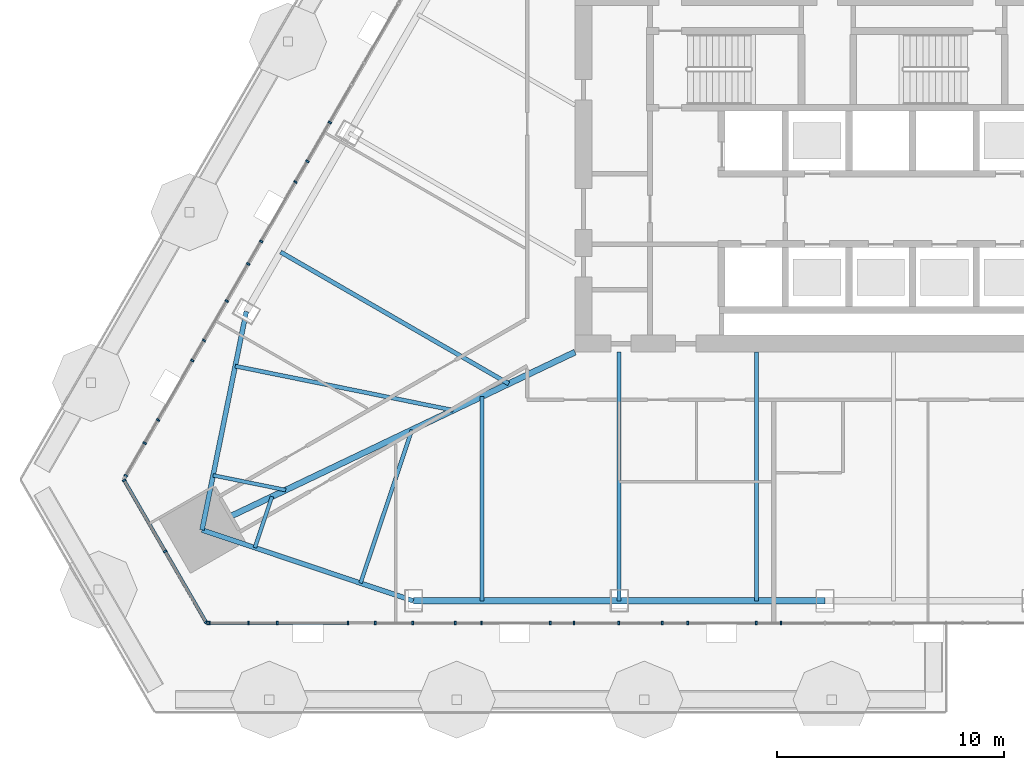
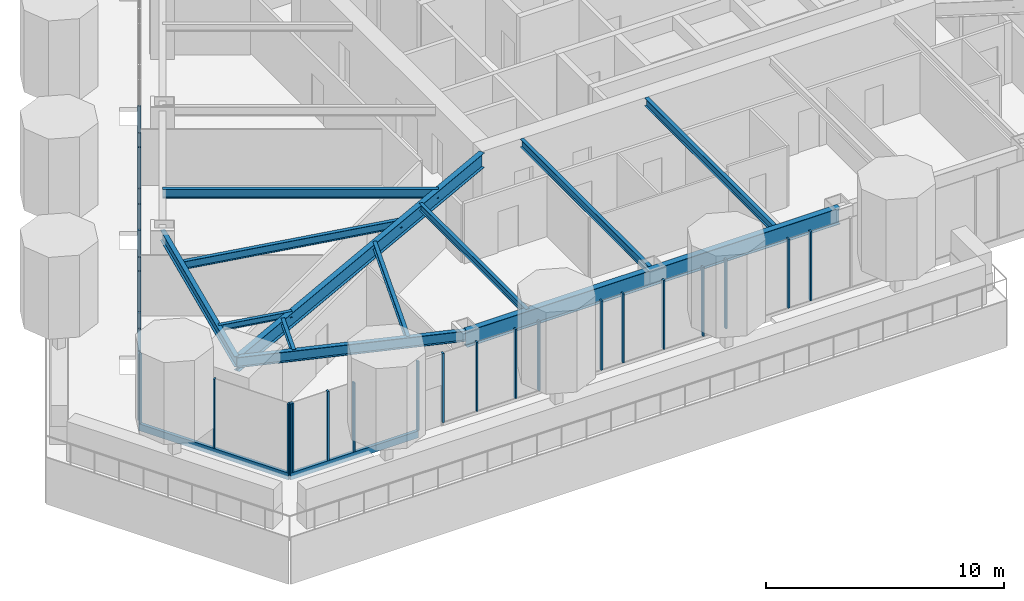
# One storey, part 2 of 32: 32 members, 12 beams, 3 elements without a shape of their own.
"""IFC4 building model written with IfcOpenShell, lengths in metres."""

import ifcopenshell
import ifcopenshell.guid

model = None  # the IFC model being written
_history = None  # IfcOwnerHistory: only IFC2X3 demands one
_inside = {}  # id of a spatial element -> (the spatial element, [elements in it])
_under = {}  # id of a project, library or spatial element -> (it, [spatial elements below it])
_declared = {}  # id of a project -> (the project, [libraries it declares])
_typed = {}  # id of a type object -> (the type object, [elements of that type])
_made_of = {}  # id of a material, layer set ... -> (it, [elements and type objects made of it])


def new_model(schema):
    """Start an empty IFC model of exactly this schema.

    Asked for "IFC4X3", IfcOpenShell would pick the latest addendum, in which some entities
    have other attributes; the version numbers below select the first issue.
    IFC2X3 requires an IfcOwnerHistory on every rooted entity: one is made here for all.
    """
    global model, _history
    if schema == "IFC4X3":
        model = ifcopenshell.file(schema_version=(4, 3, 0, 0))
    else:
        model = ifcopenshell.file(schema=schema)
    _inside.clear()
    _under.clear()
    _declared.clear()
    _typed.clear()
    _made_of.clear()
    _history = None
    if model.schema == "IFC2X3":
        org = make("IfcOrganization", Name="unknown")
        user = make(
            "IfcPersonAndOrganization",
            ThePerson=make("IfcPerson", FamilyName="unknown"),
            TheOrganization=org,
        )
        app = make(
            "IfcApplication",
            ApplicationDeveloper=org,
            Version="unknown",
            ApplicationFullName="unknown",
            ApplicationIdentifier="unknown",
        )
        _history = make(
            "IfcOwnerHistory",
            OwningUser=user,
            OwningApplication=app,
            ChangeAction="ADDED",
            CreationDate=0,
        )
    return model


def make(cls, **values):
    """One entity of the class cls with the attributes given. An attribute that is None is left unset."""
    return model.create_entity(
        cls, **{name: value for name, value in values.items() if value is not None}
    )


def rooted(cls, **values):
    """An entity with a GlobalId (a new one), such as an element, a storey or a relation."""
    return make(cls, GlobalId=ifcopenshell.guid.new(), OwnerHistory=_history, **values)


def si_unit(unit_type, name, prefix=None):
    """IfcSIUnit, for example si_unit("LENGTHUNIT", "METRE", prefix="MILLI")."""
    return make("IfcSIUnit", UnitType=unit_type, Prefix=prefix, Name=name)


def assignment(units):
    """IfcUnitAssignment: the units of a project."""
    return None if units is None else make("IfcUnitAssignment", Units=units)


def point(xyz):
    """IfcCartesianPoint."""
    return None if xyz is None else make("IfcCartesianPoint", Coordinates=xyz)


def direction(xyz):
    """IfcDirection."""
    return None if xyz is None else make("IfcDirection", DirectionRatios=xyz)


def frame(location, z_axis=None, x_axis=None):
    """IfcAxis2Placement3D, a coordinate frame: its origin and axes. An axis left out is left unset."""
    return make(
        "IfcAxis2Placement3D",
        Location=point(location),
        Axis=direction(z_axis),
        RefDirection=direction(x_axis),
    )


def frame_2d(location, x_axis=None):
    """IfcAxis2Placement2D, a coordinate frame in the plane: its origin and x axis."""
    return make(
        "IfcAxis2Placement2D", Location=point(location), RefDirection=direction(x_axis)
    )


def origin():
    """The frame at (0, 0, 0) with its axes left unset."""
    return frame((0.0, 0.0, 0.0))


def origin_2d():
    """The frame at (0, 0) in the plane with its x axis left unset."""
    return frame_2d((0.0, 0.0))


def place(relative_to, where):
    """IfcLocalPlacement: puts the frame where relative to a parent placement (None: the world)."""
    return make(
        "IfcLocalPlacement", PlacementRelTo=relative_to, RelativePlacement=where
    )


def context(
    kind, dimensions, precision=None, world=None, true_north=None, identifier=None
):
    """IfcGeometricRepresentationContext, for example the 3D "Model" context."""
    return make(
        "IfcGeometricRepresentationContext",
        ContextIdentifier=identifier,
        ContextType=kind,
        CoordinateSpaceDimension=dimensions,
        Precision=precision,
        WorldCoordinateSystem=world,
        TrueNorth=true_north,
    )


def subcontext(parent, identifier, kind, view, scale=None):
    """IfcGeometricRepresentationSubContext, for example "Body" below "Model"."""
    return make(
        "IfcGeometricRepresentationSubContext",
        ContextIdentifier=identifier,
        ContextType=kind,
        ParentContext=parent,
        TargetScale=scale,
        TargetView=view,
    )


def project(units=None, contexts=None):
    """IfcProject with its units and contexts."""
    return rooted(
        "IfcProject",
        Name="project",
        RepresentationContexts=contexts,
        UnitsInContext=assignment(units),
    )


def spatial(cls, under=None, at=None, **own):
    """A site, building, storey or space (cls), placed at a placement, below another one or the project."""
    s = rooted(cls, ObjectPlacement=at, **own)
    if under is not None:
        _under.setdefault(under.id(), (under, []))[1].append(s)
    return s


def profile(cls, at=None, kind="AREA", **sizes):
    """A parametric profile (cls). Its sizes go by their IFC names, for example OverallWidth=200.0."""
    return make(cls, ProfileType=kind, Position=at, **sizes)


def rectangle(**sizes):
    """IfcRectangleProfileDef."""
    return profile("IfcRectangleProfileDef", **sizes)


def i_section(**sizes):
    """IfcIShapeProfileDef."""
    return profile("IfcIShapeProfileDef", **sizes)


def extrude(swept, where, along, depth):
    """IfcExtrudedAreaSolid: the profile swept, set in the frame where, extruded along a direction by depth."""
    return make(
        "IfcExtrudedAreaSolid",
        SweptArea=swept,
        Position=where,
        ExtrudedDirection=direction(along),
        Depth=depth,
    )


def shape(context_of_items, identifier, shape_type, items):
    """IfcShapeRepresentation: the items that make up one representation, for example the "Body"."""
    return make(
        "IfcShapeRepresentation",
        ContextOfItems=context_of_items,
        RepresentationIdentifier=identifier,
        RepresentationType=shape_type,
        Items=items,
    )


def material(Name=None, Category=None):
    """IfcMaterial."""
    return make("IfcMaterial", Name=Name, Category=Category)


def layer(
    of_material, thickness, ventilated=None, Name=None, Category=None, Priority=None
):
    """IfcMaterialLayer: one layer of a wall or slab, of a material (None: an air gap)."""
    return make(
        "IfcMaterialLayer",
        Material=of_material,
        LayerThickness=thickness,
        IsVentilated=ventilated,
        Name=Name,
        Category=Category,
        Priority=Priority,
    )


def layer_set(layers, Name=None):
    """IfcMaterialLayerSet."""
    return make("IfcMaterialLayerSet", MaterialLayers=layers, LayerSetName=Name)


def material_profile(
    of_material, cross_section, Name=None, Category=None, Priority=None
):
    """IfcMaterialProfile: a cross section and its material."""
    return make(
        "IfcMaterialProfile",
        Name=Name,
        Material=of_material,
        Profile=cross_section,
        Priority=Priority,
        Category=Category,
    )


def profile_set(profiles, Name=None, composite=None):
    """IfcMaterialProfileSet."""
    return make(
        "IfcMaterialProfileSet",
        Name=Name,
        MaterialProfiles=profiles,
        CompositeProfile=composite,
    )


def made_of(thing, what):
    """Note that an element or type object is made of a material, layer set ...; save() writes the relation."""
    if what is not None:
        _made_of.setdefault(what.id(), (what, []))[1].append(thing)
    return thing


def type_object(cls, material=None, **own):
    """A type object (cls), such as IfcWallType, which elements share."""
    return made_of(rooted(cls, **own), material)


def element(
    cls,
    number,
    at=None,
    inside=None,
    cuts=None,
    type_object=None,
    material=None,
    context=None,
    identifier="Body",
    shape_type=None,
    held_by="IfcProductDefinitionShape",
    body=None,
    shapes=None,
    **own,
):
    """One element of the class cls, such as IfcWall. Its Tag is "e" and its number.

    at: its placement. inside: the storey or other place that contains it. cuts: it is an
    opening in that element (IfcRelVoidsElement). A single representation is given by context,
    identifier, shape_type and body (its items); several are given by shapes. held_by: the class
    of the entity that holds the representations. save() writes the other relations.
    """
    e = rooted(cls, Tag="e%d" % number, ObjectPlacement=at, **own)
    if body is not None:
        shapes = [shape(context, identifier, shape_type, body)]
    if shapes is not None:
        e.Representation = make(held_by, Representations=shapes)
    if inside is not None:
        _inside.setdefault(inside.id(), (inside, []))[1].append(e)
    if cuts is not None:
        rooted(
            "IfcRelVoidsElement", RelatingBuildingElement=cuts, RelatedOpeningElement=e
        )
    if type_object is not None:
        _typed.setdefault(type_object.id(), (type_object, []))[1].append(e)
    return made_of(e, material)


def aggregate(whole, parts):
    """IfcRelAggregates: a whole, such as a stair, and the parts it consists of."""
    return rooted("IfcRelAggregates", RelatingObject=whole, RelatedObjects=parts)


def save(model, path):
    """Write the relations noted so far, then the file.

    IfcRelAggregates (storeys below a building ...), IfcRelContainedInSpatialStructure (elements
    in a storey), IfcRelDefinesByType, IfcRelAssociatesMaterial and IfcRelDeclares: one each for
    every whole, place, type object, material and project.
    """
    for whole, parts in _under.values():
        aggregate(whole, parts)
    for where, things in _inside.values():
        rooted(
            "IfcRelContainedInSpatialStructure",
            RelatedElements=things,
            RelatingStructure=where,
        )
    for kind, things in _typed.values():
        rooted("IfcRelDefinesByType", RelatedObjects=things, RelatingType=kind)
    for what, things in _made_of.values():
        rooted("IfcRelAssociatesMaterial", RelatedObjects=things, RelatingMaterial=what)
    for by, libraries in _declared.values():
        rooted("IfcRelDeclares", RelatingContext=by, RelatedDefinitions=libraries)
    model.write(path)


model = new_model("IFC4")

# Units and contexts
model_context = context("Model", 3, precision=1e-05, world=origin(), true_north=direction((0.0, 1.0)))
body_context = subcontext(model_context, "Body", "Model", "MODEL_VIEW")
ifc_project = project(units=[si_unit("LENGTHUNIT", "METRE"), si_unit("AREAUNIT", "SQUARE_METRE"), si_unit("VOLUMEUNIT", "CUBIC_METRE"), si_unit("PLANEANGLEUNIT", "RADIAN"), si_unit("MASSUNIT", "GRAM", prefix="KILO")], contexts=[model_context])

# Site, building, storey
site_placement = place(None, origin())
site = spatial("IfcSite", under=ifc_project, at=site_placement, CompositionType="ELEMENT")
building_placement = place(site_placement, origin())
building = spatial("IfcBuilding", under=site, at=building_placement, Name="Firuza Gate Tower and Library", CompositionType="ELEMENT")
storey_placement = place(building_placement, frame((0.0, 0.0, 163.60009765625)))
storey = spatial("IfcBuildingStorey", under=building, at=storey_placement, Name="L37", CompositionType="ELEMENT", Elevation=163.60009765625)

# Curtain wall, members
ifc_material_1 = material(Name="Aluminium 6063-T6", Category="aluminium")
ifc_layer_1 = layer(ifc_material_1, 0.14990234375)
ifc_layer_set_1 = layer_set([ifc_layer_1], Name="Unitised curtain wall, hotel")
curtain_wall_type_1 = type_object("IfcCurtainWallType", Name="Unitised curtain wall, hotel", PredefinedType="NOTDEFINED", material=ifc_layer_set_1)
placement = place(storey_placement, origin())
curtain_wall_1 = element("IfcCurtainWall", 1, at=placement, inside=storey, type_object=curtain_wall_type_1, Name="CW2 L37 S face", PredefinedType="NOTDEFINED")
ifc_material_2 = material(Name="Aluminium 6063-T6", Category="aluminium")
ifc_material_profile_1 = material_profile(ifc_material_2, rectangle(XDim=0.14990234375, YDim=0.080078125, at=origin_2d()))
ifc_profile_set_1 = profile_set([ifc_material_profile_1], Name="Aluminium 6063-T6")
member_type_1 = type_object("IfcMemberType", Name="Curtain wall mullion 80x150", PredefinedType="MULLION", material=ifc_profile_set_1)
member_1_placement = place(storey_placement, frame((47.834716796875, 55.086181640625, 0.14990234375), z_axis=(0.0, 0.0, 1.0), x_axis=(0.0, 1.0, 0.0)))
member_1 = element("IfcMember", 2, at=member_1_placement, type_object=member_type_1, Name="Mullion", PredefinedType="MULLION", context=body_context, shape_type="SweptSolid", body=[
    extrude(rectangle(XDim=0.14990234375, YDim=0.080078125, at=origin_2d()), origin(), (0.0, 0.0, 1.0), 3.550048828125),
])
member_2_placement = place(storey_placement, frame((50.90478515625, 55.086181640625, 0.14990234375), z_axis=(0.0, 0.0, 1.0), x_axis=(0.0, 1.0, 0.0)))
member_2 = element("IfcMember", 3, at=member_2_placement, type_object=member_type_1, Name="Mullion", PredefinedType="MULLION", context=body_context, shape_type="SweptSolid", body=[
    extrude(rectangle(XDim=0.14990234375, YDim=0.080078125, at=origin_2d()), origin(), (0.0, 0.0, 1.0), 3.550048828125),
])
member_3_placement = place(storey_placement, frame((54.014892578125, 55.086181640625, 0.14990234375), z_axis=(0.0, 0.0, 1.0), x_axis=(0.0, 1.0, 0.0)))
member_3 = element("IfcMember", 4, at=member_3_placement, type_object=member_type_1, Name="Mullion", PredefinedType="MULLION", context=body_context, shape_type="SweptSolid", body=[
    extrude(rectangle(XDim=0.14990234375, YDim=0.080078125, at=origin_2d()), origin(), (0.0, 0.0, 1.0), 3.550048828125),
])
member_4_placement = place(storey_placement, frame((55.21484375, 55.086181640625, 0.14990234375), z_axis=(0.0, 0.0, 1.0), x_axis=(0.0, 1.0, 0.0)))
member_4 = element("IfcMember", 5, at=member_4_placement, type_object=member_type_1, Name="Mullion", PredefinedType="MULLION", context=body_context, shape_type="SweptSolid", body=[
    extrude(rectangle(XDim=0.14990234375, YDim=0.080078125, at=origin_2d()), origin(), (0.0, 0.0, 1.0), 3.550048828125),
])
member_5_placement = place(storey_placement, frame((56.86328125, 55.086181640625, 0.14990234375), z_axis=(0.0, 0.0, 1.0), x_axis=(0.0, 1.0, 0.0)))
member_5 = element("IfcMember", 6, at=member_5_placement, type_object=member_type_1, Name="Mullion", PredefinedType="MULLION", context=body_context, shape_type="SweptSolid", body=[
    extrude(rectangle(XDim=0.14990234375, YDim=0.080078125, at=origin_2d()), origin(), (0.0, 0.0, 1.0), 3.550048828125),
])
member_6_placement = place(storey_placement, frame((59.885986328125, 55.086181640625, 0.14990234375), z_axis=(0.0, 0.0, 1.0), x_axis=(0.0, 1.0, 0.0)))
member_6 = element("IfcMember", 7, at=member_6_placement, type_object=member_type_1, Name="Mullion", PredefinedType="MULLION", context=body_context, shape_type="SweptSolid", body=[
    extrude(rectangle(XDim=0.14990234375, YDim=0.080078125, at=origin_2d()), origin(), (0.0, 0.0, 1.0), 3.550048828125),
])
member_7_placement = place(storey_placement, frame((62.90869140625, 55.086181640625, 0.14990234375), z_axis=(0.0, 0.0, 1.0), x_axis=(0.0, 1.0, 0.0)))
member_7 = element("IfcMember", 8, at=member_7_placement, type_object=member_type_1, Name="Mullion", PredefinedType="MULLION", context=body_context, shape_type="SweptSolid", body=[
    extrude(rectangle(XDim=0.14990234375, YDim=0.080078125, at=origin_2d()), origin(), (0.0, 0.0, 1.0), 3.550048828125),
])
member_8_placement = place(storey_placement, frame((65.931640625, 55.086181640625, 0.14990234375), z_axis=(0.0, 0.0, 1.0), x_axis=(0.0, 1.0, 0.0)))
member_8 = element("IfcMember", 9, at=member_8_placement, type_object=member_type_1, Name="Mullion", PredefinedType="MULLION", context=body_context, shape_type="SweptSolid", body=[
    extrude(rectangle(XDim=0.14990234375, YDim=0.080078125, at=origin_2d()), origin(), (0.0, 0.0, 1.0), 3.550048828125),
])
member_9_placement = place(storey_placement, frame((68.954345703125, 55.086181640625, 0.14990234375), z_axis=(0.0, 0.0, 1.0), x_axis=(0.0, 1.0, 0.0)))
member_9 = element("IfcMember", 10, at=member_9_placement, type_object=member_type_1, Name="Mullion", PredefinedType="MULLION", context=body_context, shape_type="SweptSolid", body=[
    extrude(rectangle(XDim=0.14990234375, YDim=0.080078125, at=origin_2d()), origin(), (0.0, 0.0, 1.0), 3.550048828125),
])
member_10_placement = place(storey_placement, frame((71.977294921875, 55.086181640625, 0.14990234375), z_axis=(0.0, 0.0, 1.0), x_axis=(0.0, 1.0, 0.0)))
member_10 = element("IfcMember", 11, at=member_10_placement, type_object=member_type_1, Name="Mullion", PredefinedType="MULLION", context=body_context, shape_type="SweptSolid", body=[
    extrude(rectangle(XDim=0.14990234375, YDim=0.080078125, at=origin_2d()), origin(), (0.0, 0.0, 1.0), 3.550048828125),
])
member_11_placement = place(storey_placement, frame((47.9228515625, 55.086181640625, 0.14990234375), z_axis=(0.0, 0.0, 1.0), x_axis=(0.0, 1.0, 0.0)))
member_11 = element("IfcMember", 12, at=member_11_placement, type_object=member_type_1, Name="Mullion", PredefinedType="MULLION", context=body_context, shape_type="SweptSolid", body=[
    extrude(rectangle(XDim=0.14990234375, YDim=0.080078125, at=origin_2d()), origin(), (0.0, 0.0, 1.0), 3.550048828125),
])
member_12_placement = place(storey_placement, frame((49.641357421875, 55.086181640625, 0.14990234375), z_axis=(0.0, 0.0, 1.0), x_axis=(0.0, 1.0, 0.0)))
member_12 = element("IfcMember", 13, at=member_12_placement, type_object=member_type_1, Name="Mullion", PredefinedType="MULLION", context=body_context, shape_type="SweptSolid", body=[
    extrude(rectangle(XDim=0.14990234375, YDim=0.080078125, at=origin_2d()), origin(), (0.0, 0.0, 1.0), 3.550048828125),
])
member_13_placement = place(storey_placement, frame((58.741455078125, 55.086181640625, 0.14990234375), z_axis=(0.0, 0.0, 1.0), x_axis=(0.0, 1.0, 0.0)))
member_13 = element("IfcMember", 14, at=member_13_placement, type_object=member_type_1, Name="Mullion", PredefinedType="MULLION", context=body_context, shape_type="SweptSolid", body=[
    extrude(rectangle(XDim=0.14990234375, YDim=0.080078125, at=origin_2d()), origin(), (0.0, 0.0, 1.0), 3.550048828125),
])
member_14_placement = place(storey_placement, frame((63.95849609375, 55.086181640625, 0.14990234375), z_axis=(0.0, 0.0, 1.0), x_axis=(0.0, 1.0, 0.0)))
member_14 = element("IfcMember", 15, at=member_14_placement, type_object=member_type_1, Name="Mullion", PredefinedType="MULLION", context=body_context, shape_type="SweptSolid", body=[
    extrude(rectangle(XDim=0.14990234375, YDim=0.080078125, at=origin_2d()), origin(), (0.0, 0.0, 1.0), 3.550048828125),
])
member_15_placement = place(storey_placement, frame((67.841552734375, 55.086181640625, 0.14990234375), z_axis=(0.0, 0.0, 1.0), x_axis=(0.0, 1.0, 0.0)))
member_15 = element("IfcMember", 16, at=member_15_placement, type_object=member_type_1, Name="Mullion", PredefinedType="MULLION", context=body_context, shape_type="SweptSolid", body=[
    extrude(rectangle(XDim=0.14990234375, YDim=0.080078125, at=origin_2d()), origin(), (0.0, 0.0, 1.0), 3.550048828125),
])
member_16_placement = place(storey_placement, frame((73.05859375, 55.086181640625, 0.14990234375), z_axis=(0.0, 0.0, 1.0), x_axis=(0.0, 1.0, 0.0)))
member_16 = element("IfcMember", 17, at=member_16_placement, type_object=member_type_1, Name="Mullion", PredefinedType="MULLION", context=body_context, shape_type="SweptSolid", body=[
    extrude(rectangle(XDim=0.14990234375, YDim=0.080078125, at=origin_2d()), origin(), (0.0, 0.0, 1.0), 3.550048828125),
])

curtain_wall_2 = element("IfcCurtainWall", 18, at=placement, inside=storey, type_object=curtain_wall_type_1, Name="CW2 L37 W face", PredefinedType="NOTDEFINED")
member_17_placement = place(storey_placement, frame((53.219970703125, 77.103515625, 0.14990234375), z_axis=(0.0, 0.0, 1.0), x_axis=(0.866025403784, -0.5, 0.0)))
member_17 = element("IfcMember", 19, at=member_17_placement, type_object=member_type_1, Name="Mullion", PredefinedType="MULLION", context=body_context, shape_type="SweptSolid", body=[
    extrude(rectangle(XDim=0.14990234375, YDim=0.080078125, at=origin_2d()), origin(), (0.0, 0.0, 1.0), 3.550048828125),
])
member_18_placement = place(storey_placement, frame((51.70849609375, 74.485595703125, 0.14990234375), z_axis=(0.0, 0.0, 1.0), x_axis=(0.866025403784, -0.5, 0.0)))
member_18 = element("IfcMember", 20, at=member_18_placement, type_object=member_type_1, Name="Mullion", PredefinedType="MULLION", context=body_context, shape_type="SweptSolid", body=[
    extrude(rectangle(XDim=0.14990234375, YDim=0.080078125, at=origin_2d()), origin(), (0.0, 0.0, 1.0), 3.550048828125),
])
member_19_placement = place(storey_placement, frame((50.197021484375, 71.867919921875, 0.14990234375), z_axis=(0.0, 0.0, 1.0), x_axis=(0.866025403784, -0.5, 0.0)))
member_19 = element("IfcMember", 21, at=member_19_placement, type_object=member_type_1, Name="Mullion", PredefinedType="MULLION", context=body_context, shape_type="SweptSolid", body=[
    extrude(rectangle(XDim=0.14990234375, YDim=0.080078125, at=origin_2d()), origin(), (0.0, 0.0, 1.0), 3.550048828125),
])
member_20_placement = place(storey_placement, frame((48.685791015625, 69.25, 0.14990234375), z_axis=(0.0, 0.0, 1.0), x_axis=(0.866025403784, -0.5, 0.0)))
member_20 = element("IfcMember", 22, at=member_20_placement, type_object=member_type_1, Name="Mullion", PredefinedType="MULLION", context=body_context, shape_type="SweptSolid", body=[
    extrude(rectangle(XDim=0.14990234375, YDim=0.080078125, at=origin_2d()), origin(), (0.0, 0.0, 1.0), 3.550048828125),
])
member_21_placement = place(storey_placement, frame((47.17431640625, 66.632080078125, 0.14990234375), z_axis=(0.0, 0.0, 1.0), x_axis=(0.866025403784, -0.5, 0.0)))
member_21 = element("IfcMember", 23, at=member_21_placement, type_object=member_type_1, Name="Mullion", PredefinedType="MULLION", context=body_context, shape_type="SweptSolid", body=[
    extrude(rectangle(XDim=0.14990234375, YDim=0.080078125, at=origin_2d()), origin(), (0.0, 0.0, 1.0), 3.550048828125),
])
member_22_placement = place(storey_placement, frame((45.662841796875, 64.014404296875, 0.14990234375), z_axis=(0.0, 0.0, 1.0), x_axis=(0.866025403784, -0.5, 0.0)))
member_22 = element("IfcMember", 24, at=member_22_placement, type_object=member_type_1, Name="Mullion", PredefinedType="MULLION", context=body_context, shape_type="SweptSolid", body=[
    extrude(rectangle(XDim=0.14990234375, YDim=0.080078125, at=origin_2d()), origin(), (0.0, 0.0, 1.0), 3.550048828125),
])
member_23_placement = place(storey_placement, frame((52.2333984375, 75.394775390625, 0.14990234375), z_axis=(0.0, 0.0, 1.0), x_axis=(0.866025403784, -0.5, 0.0)))
member_23 = element("IfcMember", 25, at=member_23_placement, type_object=member_type_1, Name="Mullion", PredefinedType="MULLION", context=body_context, shape_type="SweptSolid", body=[
    extrude(rectangle(XDim=0.14990234375, YDim=0.080078125, at=origin_2d()), origin(), (0.0, 0.0, 1.0), 3.550048828125),
])
member_24_placement = place(storey_placement, frame((49.624755859375, 70.876708984375, 0.14990234375), z_axis=(0.0, 0.0, 1.0), x_axis=(0.866025403784, -0.5, 0.0)))
member_24 = element("IfcMember", 26, at=member_24_placement, type_object=member_type_1, Name="Mullion", PredefinedType="MULLION", context=body_context, shape_type="SweptSolid", body=[
    extrude(rectangle(XDim=0.14990234375, YDim=0.080078125, at=origin_2d()), origin(), (0.0, 0.0, 1.0), 3.550048828125),
])
member_25_placement = place(storey_placement, frame((47.683349609375, 67.513916015625, 0.14990234375), z_axis=(0.0, 0.0, 1.0), x_axis=(0.866025403784, -0.5, 0.0)))
member_25 = element("IfcMember", 27, at=member_25_placement, type_object=member_type_1, Name="Mullion", PredefinedType="MULLION", context=body_context, shape_type="SweptSolid", body=[
    extrude(rectangle(XDim=0.14990234375, YDim=0.080078125, at=origin_2d()), origin(), (0.0, 0.0, 1.0), 3.550048828125),
])
member_26_placement = place(storey_placement, frame((45.07470703125, 62.995849609375, 0.14990234375), z_axis=(0.0, 0.0, 1.0), x_axis=(0.866025403784, -0.5, 0.0)))
member_26 = element("IfcMember", 28, at=member_26_placement, type_object=member_type_1, Name="Mullion", PredefinedType="MULLION", context=body_context, shape_type="SweptSolid", body=[
    extrude(rectangle(XDim=0.14990234375, YDim=0.080078125, at=origin_2d()), origin(), (0.0, 0.0, 1.0), 3.550048828125),
])
member_27_placement = place(storey_placement, frame((44.248046875, 61.563720703125, 0.14990234375), z_axis=(0.0, 0.0, 1.0), x_axis=(0.866025403784, -0.5, 0.0)))
member_27 = element("IfcMember", 29, at=member_27_placement, type_object=member_type_1, Name="Mullion", PredefinedType="MULLION", context=body_context, shape_type="SweptSolid", body=[
    extrude(rectangle(XDim=0.14990234375, YDim=0.080078125, at=origin_2d()), origin(), (0.0, 0.0, 1.0), 3.550048828125),
])
aggregate(curtain_wall_2, [member_17, member_18, member_19, member_20, member_21, member_22, member_23, member_24, member_25, member_26, member_27])

ifc_material_3 = material(Name="Aluminium 6063-T6", Category="aluminium")
ifc_layer_2 = layer(ifc_material_3, 0.14990234375)
ifc_layer_set_2 = layer_set([ifc_layer_2], Name="Corner curtain wall, chamfers")
curtain_wall_type_2 = type_object("IfcCurtainWallType", Name="Corner curtain wall, chamfers", PredefinedType="NOTDEFINED", material=ifc_layer_set_2)
curtain_wall_3 = element("IfcCurtainWall", 30, at=placement, inside=storey, type_object=curtain_wall_type_2, Name="CW4 L37 SW corner", PredefinedType="NOTDEFINED")
member_28_placement = place(storey_placement, frame((44.17138671875, 61.36181640625, 0.14990234375), z_axis=(0.0, 0.0, 1.0), x_axis=(0.866025403784, 0.5, 0.0)))
member_28 = element("IfcMember", 31, at=member_28_placement, type_object=member_type_1, Name="Mullion", PredefinedType="MULLION", context=body_context, shape_type="SweptSolid", body=[
    extrude(rectangle(XDim=0.14990234375, YDim=0.080078125, at=origin_2d()), origin(), (0.0, 0.0, 1.0), 3.550048828125),
])
member_29_placement = place(storey_placement, frame((45.97314453125, 58.2412109375, 0.14990234375), z_axis=(0.0, 0.0, 1.0), x_axis=(0.866025403784, 0.5, 0.0)))
member_29 = element("IfcMember", 32, at=member_29_placement, type_object=member_type_1, Name="Mullion", PredefinedType="MULLION", context=body_context, shape_type="SweptSolid", body=[
    extrude(rectangle(XDim=0.14990234375, YDim=0.080078125, at=origin_2d()), origin(), (0.0, 0.0, 1.0), 3.550048828125),
])
member_30_placement = place(storey_placement, frame((47.774658203125, 55.120849609375, 0.14990234375), z_axis=(0.0, 0.0, 1.0), x_axis=(0.866025403784, 0.5, 0.0)))
member_30 = element("IfcMember", 33, at=member_30_placement, type_object=member_type_1, Name="Mullion", PredefinedType="MULLION", context=body_context, shape_type="SweptSolid", body=[
    extrude(rectangle(XDim=0.14990234375, YDim=0.080078125, at=origin_2d()), origin(), (0.0, 0.0, 1.0), 3.550048828125),
])

# Member
ifc_material_4 = material(Name="Aluminium 6063-T6", Category="aluminium")
ifc_material_profile_2 = material_profile(ifc_material_4, rectangle(XDim=0.14990234375, YDim=0.35009765625, at=origin_2d()))
ifc_profile_set_2 = profile_set([ifc_material_profile_2], Name="Aluminium 6063-T6")
member_type_2 = type_object("IfcMemberType", Name="Curtain wall transom 350x150", PredefinedType="USERDEFINED", material=ifc_profile_set_2)
member_31_placement = place(storey_placement, frame((47.794677734375, 55.086181640625, -0.025146484375), z_axis=(1.0, 0.0, 0.0), x_axis=(0.0, 1.0, 0.0)))
member_31 = element("IfcMember", 34, at=member_31_placement, type_object=member_type_2, Name="Transom", ObjectType="TRANSOM", PredefinedType="USERDEFINED", context=body_context, shape_type="SweptSolid", body=[
    extrude(rectangle(XDim=0.14990234375, YDim=0.35009765625, at=origin_2d()), origin(), (0.0, 0.0, 1.0), 6.22021484375),
])

aggregate(curtain_wall_1, [member_1, member_2, member_3, member_4, member_5, member_6, member_7, member_8, member_9, member_10, member_31, member_11, member_12, member_13, member_14, member_15, member_16])

member_32_placement = place(storey_placement, frame((44.1513671875, 61.396484375, -0.025146484375), z_axis=(0.500005719219, -0.866022101766, 0.0), x_axis=(0.866022101766, 0.500005719219, 0.0)))
member_32 = element("IfcMember", 35, at=member_32_placement, type_object=member_type_2, Name="Transom", ObjectType="TRANSOM", PredefinedType="USERDEFINED", context=body_context, shape_type="SweptSolid", body=[
    extrude(rectangle(XDim=0.14990234375, YDim=0.35009765625, at=origin_2d()), origin(), (0.0, 0.0, 1.0), 7.28662109375),
])

aggregate(curtain_wall_3, [member_28, member_29, member_30, member_32])

# Beams
ifc_material_5 = material(Name="Steel S355", Category="steel")
ifc_material_profile_3 = material_profile(ifc_material_5, i_section(OverallWidth=0.1650390625, OverallDepth=0.31005859375, WebThickness=0.005859375, FlangeThickness=0.009765625, at=origin_2d()))
ifc_profile_set_3 = profile_set([ifc_material_profile_3], Name="Steel S355")
beam_type_1 = type_object("IfcBeamType", Name="W310x39 Floor beam", PredefinedType="JOIST", material=ifc_profile_set_3)
beam_1_placement = place(storey_placement, frame((48.083740234375, 61.5810546875, 3.544921875), z_axis=(0.98006147131, -0.198694520443, 0.0), x_axis=(0.198694520443, 0.98006147131, 0.0)))
element("IfcBeam", 36, at=beam_1_placement, inside=storey, type_object=beam_type_1, Name="Floor beam L37 s01", PredefinedType="JOIST", context=body_context, shape_type="SweptSolid", body=[
    extrude(i_section(OverallWidth=0.1650390625, OverallDepth=0.31005859375, WebThickness=0.005859375, FlangeThickness=0.009765625, at=origin_2d()), origin(), (0.0, 0.0, 1.0), 3.258544921875),
])
beam_2_placement = place(storey_placement, frame((49.920654296875, 58.3994140625, 3.544921875), z_axis=(0.318019732569, 0.948084094212, 0.0), x_axis=(-0.948084094212, 0.318019732569, 0.0)))
element("IfcBeam", 37, at=beam_2_placement, inside=storey, type_object=beam_type_1, Name="Floor beam L37 s10", PredefinedType="JOIST", context=body_context, shape_type="SweptSolid", body=[
    extrude(i_section(OverallWidth=0.1650390625, OverallDepth=0.31005859375, WebThickness=0.005859375, FlangeThickness=0.009765625, at=origin_2d()), origin(), (0.0, 0.0, 1.0), 2.369873046875),
])
ifc_material_6 = material(Name="Steel S355", Category="steel")
ifc_material_profile_4 = material_profile(ifc_material_6, i_section(OverallWidth=0.1708984375, OverallDepth=0.35498046875, WebThickness=0.007080078125, FlangeThickness=0.01171875, at=origin_2d()))
ifc_profile_set_4 = profile_set([ifc_material_profile_4], Name="Steel S355")
beam_type_2 = type_object("IfcBeamType", Name="W360x51 Floor beam", PredefinedType="JOIST", material=ifc_profile_set_4)
beam_3_placement = place(storey_placement, frame((54.568359375, 56.840576171875, 3.5224609375), z_axis=(0.31799921866, 0.948090975029, 0.0), x_axis=(-0.948090975029, 0.31799921866, 0.0)))
element("IfcBeam", 38, at=beam_3_placement, inside=storey, type_object=beam_type_2, Name="Floor beam L37 s11", PredefinedType="JOIST", context=body_context, shape_type="SweptSolid", body=[
    extrude(i_section(OverallWidth=0.1708984375, OverallDepth=0.35498046875, WebThickness=0.007080078125, FlangeThickness=0.01171875, at=origin_2d()), origin(), (0.0, 0.0, 1.0), 7.109375),
])
beam_4_placement = place(storey_placement, frame((59.91015625, 56.06103515625, 3.5224609375), z_axis=(0.0, 1.0, 0.0), x_axis=(-1.0, 0.0, 0.0)))
element("IfcBeam", 39, at=beam_4_placement, inside=storey, type_object=beam_type_2, Name="Floor beam L37 s20", PredefinedType="JOIST", context=body_context, shape_type="SweptSolid", body=[
    extrude(i_section(OverallWidth=0.1708984375, OverallDepth=0.35498046875, WebThickness=0.007080078125, FlangeThickness=0.01171875, at=origin_2d()), origin(), (0.0, 0.0, 1.0), 8.98876953125),
])
ifc_material_7 = material(Name="Steel S355", Category="steel")
ifc_material_profile_5 = material_profile(ifc_material_7, i_section(OverallWidth=0.177978515625, OverallDepth=0.406982421875, WebThickness=0.0078125, FlangeThickness=0.0126953125, at=origin_2d()))
ifc_profile_set_5 = profile_set([ifc_material_profile_5], Name="Steel S355")
beam_type_3 = type_object("IfcBeamType", Name="W410x60 Floor beam", PredefinedType="JOIST", material=ifc_profile_set_5)
beam_5_placement = place(storey_placement, frame((49.0576171875, 66.38525390625, 3.496337890625), z_axis=(0.980070211277, -0.19865140565, 0.0), x_axis=(0.19865140565, 0.980070211277, 0.0)))
element("IfcBeam", 40, at=beam_5_placement, inside=storey, type_object=beam_type_3, Name="Floor beam L37 s00", PredefinedType="JOIST", context=body_context, shape_type="SweptSolid", body=[
    extrude(i_section(OverallWidth=0.177978515625, OverallDepth=0.406982421875, WebThickness=0.0078125, FlangeThickness=0.0126953125, at=origin_2d()), origin(), (0.0, 0.0, 1.0), 9.775390625),
])
for number, where, z_axis, x_axis, name in (
    (41, (65.946044921875, 56.06103515625, 3.496337890625), (0.0, 1.0, 0.0), (-1.0, 0.0, 0.0), "Floor beam L37 s21"),
    (42, (71.98193359375, 56.06103515625, 3.496337890625), (0.0, 1.0, 0.0), (-1.0, 0.0, 0.0), "Floor beam L37 s22"),
):
    element("IfcBeam", number, at=place(storey_placement, frame(where, z_axis=z_axis, x_axis=x_axis)), inside=storey, type_object=beam_type_3, Name=name, PredefinedType="JOIST", context=body_context, shape_type="SweptSolid", body=[
        extrude(i_section(OverallWidth=0.177978515625, OverallDepth=0.406982421875, WebThickness=0.0078125, FlangeThickness=0.0126953125, at=origin_2d()), origin(), (0.0, 0.0, 1.0), 10.93896484375),
    ])
ifc_material_8 = material(Name="Steel S355", Category="steel")
ifc_material_profile_6 = material_profile(ifc_material_8, i_section(OverallWidth=0.18994140625, OverallDepth=0.45703125, WebThickness=0.009033203125, FlangeThickness=0.014404296875, at=origin_2d()))
ifc_profile_set_6 = profile_set([ifc_material_profile_6], Name="Steel S355")
beam_type_4 = type_object("IfcBeamType", Name="W460x74 Floor beam", PredefinedType="JOIST", material=ifc_profile_set_6)
beam_6_placement = place(storey_placement, frame((51.053466796875, 71.401123046875, 3.471435546875), z_axis=(0.866030793339, -0.499990664901, 0.0), x_axis=(0.499990664901, 0.866030793339, 0.0)))
element("IfcBeam", 43, at=beam_6_placement, inside=storey, type_object=beam_type_4, Name="Floor beam L37 s85", PredefinedType="JOIST", context=body_context, shape_type="SweptSolid", body=[
    extrude(i_section(OverallWidth=0.18994140625, OverallDepth=0.45703125, WebThickness=0.009033203125, FlangeThickness=0.014404296875, at=origin_2d()), origin(), (0.0, 0.0, 1.0), 11.582763671875),
])
ifc_material_9 = material(Name="Steel S355", Category="steel")
ifc_material_profile_7 = material_profile(ifc_material_9, i_section(OverallWidth=0.212890625, OverallDepth=0.5390625, WebThickness=0.01171875, FlangeThickness=0.018798828125, at=origin_2d()))
ifc_profile_set_7 = profile_set([ifc_material_profile_7], Name="Steel S355")
beam_type_5 = type_object("IfcBeamType", Name="W530x109 Edge beam", PredefinedType="SPANDREL", material=ifc_profile_set_7)
for number, where, z_axis, x_axis, name in (
    (44, (49.54443359375, 68.78759765625, 3.430419921875), (-0.198639155486, -0.980072694196, 0.0), (0.980072694196, -0.198639155486, 0.0), "Edge beam L37 e00"),
    (45, (47.596923828125, 59.1787109375, 3.430419921875), (0.94809146996, -0.317997743056, 0.0), (0.317997743056, 0.94809146996, 0.0), "Edge beam L37 e10"),
):
    element("IfcBeam", number, at=place(storey_placement, frame(where, z_axis=z_axis, x_axis=x_axis)), inside=storey, type_object=beam_type_5, Name=name, PredefinedType="SPANDREL", context=body_context, shape_type="SweptSolid", body=[
        extrude(i_section(OverallWidth=0.212890625, OverallDepth=0.5390625, WebThickness=0.01171875, FlangeThickness=0.018798828125, at=origin_2d()), origin(), (0.0, 0.0, 1.0), 9.80419921875),
    ])
ifc_material_10 = material(Name="Steel S355", Category="steel")
ifc_material_profile_8 = material_profile(ifc_material_10, i_section(OverallWidth=0.264892578125, OverallDepth=0.7529296875, WebThickness=0.01318359375, FlangeThickness=0.01708984375, at=origin_2d()))
ifc_profile_set_8 = profile_set([ifc_material_profile_8], Name="Steel S355")
beam_type_6 = type_object("IfcBeamType", Name="W760x147 Girder", PredefinedType="BEAM", material=ifc_profile_set_8)
beam_7_placement = place(storey_placement, frame((47.596923828125, 59.1787109375, 3.323486328125), z_axis=(0.902640378669, 0.430395570141, 0.0), x_axis=(-0.430395570141, 0.902640378669, 0.0)))
element("IfcBeam", 46, at=beam_7_placement, inside=storey, type_object=beam_type_6, Name="Girder L37 gSW", PredefinedType="BEAM", context=body_context, shape_type="SweptSolid", body=[
    extrude(i_section(OverallWidth=0.264892578125, OverallDepth=0.7529296875, WebThickness=0.01318359375, FlangeThickness=0.01708984375, at=origin_2d()), origin(), (0.0, 0.0, 1.0), 18.17236328125),
])
ifc_material_11 = material(Name="Steel S355", Category="steel")
ifc_material_profile_9 = material_profile(ifc_material_11, i_section(OverallWidth=0.2919921875, OverallDepth=0.8349609375, WebThickness=0.013916015625, FlangeThickness=0.018798828125, at=origin_2d()))
ifc_profile_set_9 = profile_set([ifc_material_profile_9], Name="Steel S355")
beam_type_7 = type_object("IfcBeamType", Name="W840x176 Edge beam", PredefinedType="SPANDREL", material=ifc_profile_set_9)
beam_8_placement = place(storey_placement, frame((56.89208984375, 56.06103515625, 3.282470703125), z_axis=(1.0, 0.0, 0.0), x_axis=(0.0, 1.0, 0.0)))
element("IfcBeam", 47, at=beam_8_placement, inside=storey, type_object=beam_type_7, Name="Edge beam L37 e20", PredefinedType="SPANDREL", context=body_context, shape_type="SweptSolid", body=[
    extrude(i_section(OverallWidth=0.2919921875, OverallDepth=0.8349609375, WebThickness=0.013916015625, FlangeThickness=0.018798828125, at=origin_2d()), origin(), (0.0, 0.0, 1.0), 18.10791015625),
])

save(model, "model.ifc")
